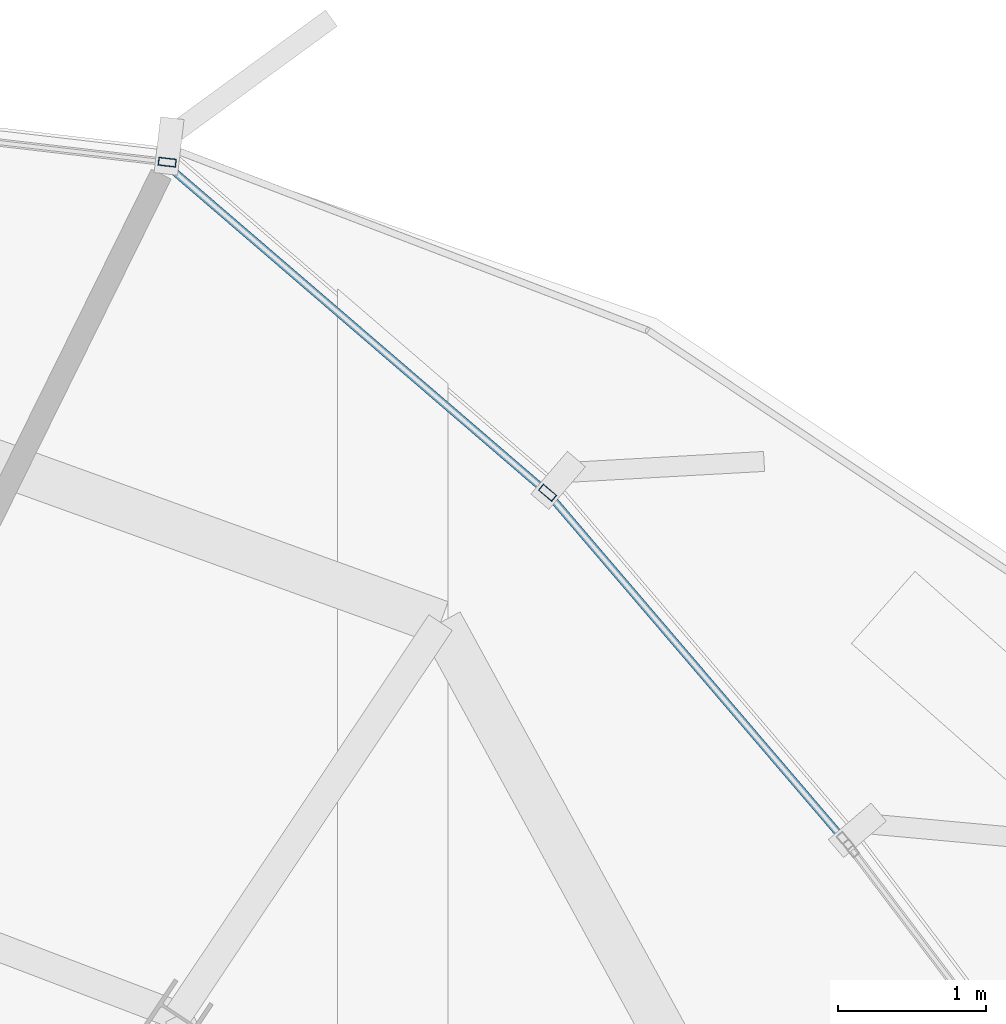
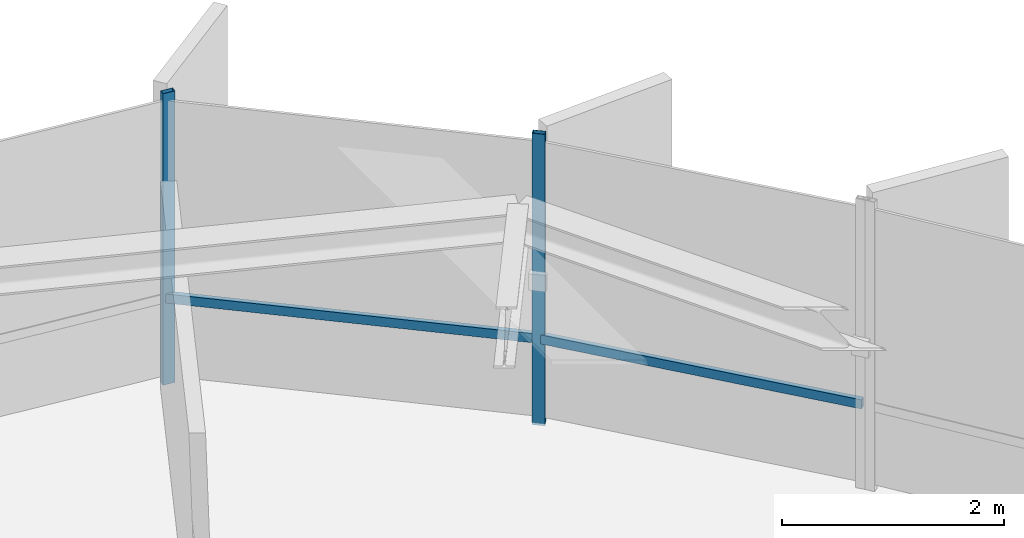
# One storey, part 25 of 34: 4 members, 1 element without a shape of its own.
"""IFC4 building model written with IfcOpenShell, lengths in metres."""

from ifc_helpers import new_model, si_unit, direction, frame, origin, origin_2d, place, context, subcontext, project, spatial, hollow_rectangle, extrude, source, transform, mapped, material, layer, layer_set, material_profile, profile_set, type_object, element, aggregate, save


model = new_model("IFC4")

# Units and contexts
model_context = context("Model", 3, precision=1e-05, world=origin(), true_north=direction((0.0, 1.0)))
body_context = subcontext(model_context, "Body", "Model", "MODEL_VIEW")
ifc_project = project(units=[si_unit("LENGTHUNIT", "METRE"), si_unit("AREAUNIT", "SQUARE_METRE"), si_unit("VOLUMEUNIT", "CUBIC_METRE"), si_unit("PLANEANGLEUNIT", "RADIAN"), si_unit("MASSUNIT", "GRAM", prefix="KILO"), si_unit("THERMODYNAMICTEMPERATUREUNIT", "KELVIN")], contexts=[model_context])

# Site, building, storey
site_placement = place(None, origin())
site = spatial("IfcSite", under=ifc_project, at=site_placement, CompositionType="ELEMENT")
building_placement = place(site_placement, origin())
building = spatial("IfcBuilding", under=site, at=building_placement, Name="Kethvar Cultural Tower", CompositionType="ELEMENT")
storey_placement = place(building_placement, frame((0.0, 0.0, 231.85009765625)))
storey = spatial("IfcBuildingStorey", under=building, at=storey_placement, Name="L60", CompositionType="ELEMENT", Elevation=231.85009765625)

# Curtain wall, members
ifc_material = material(Name="Aluminium 6063-T6", Category="aluminium")
ifc_layer = layer(ifc_material, 0.179931640625, Name="Aluminium 6063-T6", Category="aluminium")
ifc_layer_set = layer_set([ifc_layer], Name="Aluminium 6063-T6 (180 mm)")
curtain_wall_type = type_object("IfcCurtainWallType", Name="CW-SYS-05-Z56", PredefinedType="NOTDEFINED", material=ifc_layer_set)
curtain_wall_placement = place(storey_placement, origin())
curtain_wall = element("IfcCurtainWall", 1, at=curtain_wall_placement, inside=storey, type_object=curtain_wall_type, Name="L60 Curtain Wall Run 01", PredefinedType="NOTDEFINED")
ifc_material_profile_1 = material_profile(ifc_material, hollow_rectangle(XDim=0.054931640625, YDim=0.1201171875, WallThickness=0.00390625, at=origin_2d()), Name="Aluminium 6063-T6 — RHS120x55x4")
ifc_profile_set_1 = profile_set([ifc_material_profile_1], Name="Aluminium 6063-T6 — RHS120x55x4")
member_type_1 = type_object("IfcMemberType", Name="CW-SYS-05-Z56-MUL", PredefinedType="MULLION", material=ifc_profile_set_1)
shared_shape_1 = source(origin(), body_context, "Body", "SweptSolid", [
    extrude(hollow_rectangle(XDim=0.054931640625, YDim=0.1201171875, WallThickness=0.00390625, at=origin_2d()), origin(), (0.0, 0.0, 1.0), 3.2099609375),
])
member_1_placement = place(storey_placement, frame((60.376953125, 47.914306640625, 0.0), z_axis=(0.0, 0.0, 1.0), x_axis=(-0.652111635671, -0.758122954818, 0.0)))
member_1 = element("IfcMember", 2, at=member_1_placement, type_object=member_type_1, Name="CW-L60-R01 Mullion 2", PredefinedType="MULLION", context=body_context, shape_type="MappedRepresentation", body=[
    mapped(shared_shape_1, transform((0.0, 0.0, 0.0), scale=1.0)),
])
member_2_placement = place(storey_placement, frame((57.802490234375, 50.1513671875, 0.0), z_axis=(0.0, 0.0, 1.0), x_axis=(-0.115942673708, -0.99325590681, 0.0)))
member_2 = element("IfcMember", 3, at=member_2_placement, type_object=member_type_1, Name="CW-L60-R01 Mullion 3", PredefinedType="MULLION", context=body_context, shape_type="MappedRepresentation", body=[
    mapped(shared_shape_1, transform((0.0, 0.0, 0.0), scale=1.0)),
])
ifc_material_profile_2 = material_profile(ifc_material, hollow_rectangle(XDim=0.050048828125, YDim=0.10009765625, WallThickness=0.00390625, at=origin_2d()), Name="Aluminium 6063-T6 — RHS100x50x4")
ifc_profile_set_2 = profile_set([ifc_material_profile_2], Name="Aluminium 6063-T6 — RHS100x50x4")
member_type_2 = type_object("IfcMemberType", Name="CW-SYS-05-Z56-TRN", PredefinedType="USERDEFINED", material=ifc_profile_set_2)
shared_shape_2 = source(origin(), body_context, "Body", "SweptSolid", [
    extrude(hollow_rectangle(XDim=0.050048828125, YDim=0.10009765625, WallThickness=0.00390625, at=origin_2d()), origin(), (0.0, 0.0, 1.0), 3.071044921875),
])
member_3_placement = place(storey_placement, frame((62.387451171875, 45.560791015625, 0.949951171875), z_axis=(-0.649821895357, 0.760086511073, 0.0), x_axis=(-0.760086511073, -0.649821895357, 0.0)))
member_3 = element("IfcMember", 4, at=member_3_placement, type_object=member_type_2, Name="CW-L60-R01 Transom 1", ObjectType="TRANSOM", PredefinedType="USERDEFINED", context=body_context, shape_type="MappedRepresentation", body=[
    mapped(shared_shape_2, transform((0.0, 0.0, 0.0), scale=1.0)),
])
shared_shape_3 = source(origin(), body_context, "Body", "SweptSolid", [
    extrude(hollow_rectangle(XDim=0.050048828125, YDim=0.10009765625, WallThickness=0.00390625, at=origin_2d()), origin(), (0.0, 0.0, 1.0), 3.38720703125),
])
member_4_placement = place(storey_placement, frame((60.346923828125, 47.940185546875, 0.949951171875), z_axis=(-0.758161678903, 0.652066613655, 0.0), x_axis=(-0.652066613655, -0.758161678903, 0.0)))
member_4 = element("IfcMember", 5, at=member_4_placement, type_object=member_type_2, Name="CW-L60-R01 Transom 2", ObjectType="TRANSOM", PredefinedType="USERDEFINED", context=body_context, shape_type="MappedRepresentation", body=[
    mapped(shared_shape_3, transform((0.0, 0.0, 0.0), scale=1.0)),
])
aggregate(curtain_wall, [member_1, member_2, member_3, member_4])

save(model, "model.ifc")
